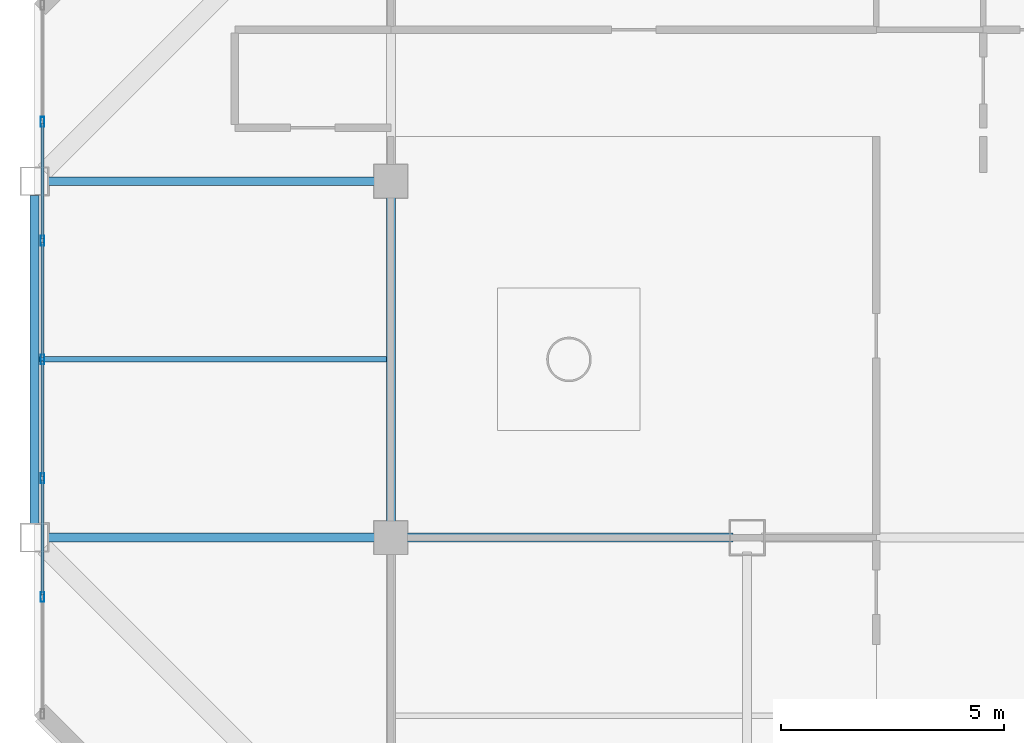
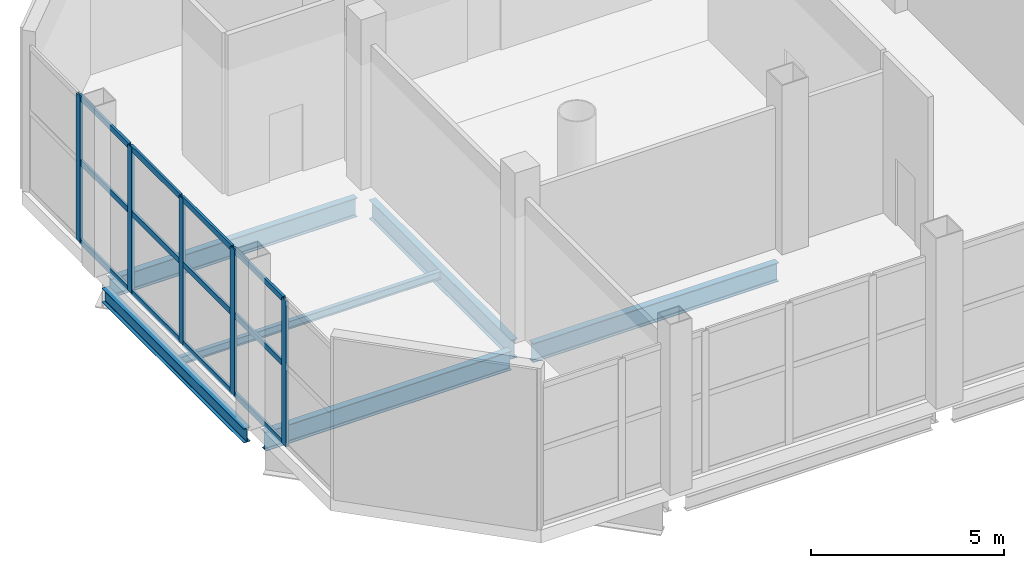
# One storey, part 5 of 17: 17 members, 6 beams, 1 element without a shape of its own.
"""IFC4 building model written with IfcOpenShell, lengths in metres."""

from ifc_helpers import new_model, si_unit, direction, frame, origin, origin_2d, place, context, subcontext, project, spatial, hollow_rectangle, i_section, extrude, material, layer, layer_set, material_profile, profile_set, type_object, element, aggregate, save


model = new_model("IFC4")

# Units and contexts
model_context = context("Model", 3, precision=1e-05, world=origin(), true_north=direction((0.0, 1.0)))
body_context = subcontext(model_context, "Body", "Model", "MODEL_VIEW")
ifc_project = project(units=[si_unit("LENGTHUNIT", "METRE"), si_unit("AREAUNIT", "SQUARE_METRE"), si_unit("VOLUMEUNIT", "CUBIC_METRE"), si_unit("PLANEANGLEUNIT", "RADIAN"), si_unit("MASSUNIT", "GRAM", prefix="KILO")], contexts=[model_context])

# Site, building, storey
site_placement = place(None, origin())
site = spatial("IfcSite", under=ifc_project, at=site_placement, CompositionType="ELEMENT")
building_placement = place(site_placement, origin())
building = spatial("IfcBuilding", under=site, at=building_placement, Name="Qianrong Seaharbour Tower", CompositionType="ELEMENT")
storey_placement = place(building_placement, frame((0.0, 0.0, 373.0)))
storey = spatial("IfcBuildingStorey", under=building, at=storey_placement, Name="L90", CompositionType="ELEMENT", Elevation=373.0)

# Beams
ifc_material_1 = material(Name="Structural steel SN490B", Category="steel")
ifc_material_profile_1 = material_profile(ifc_material_1, i_section(OverallWidth=0.199951171875, OverallDepth=0.60009765625, WebThickness=0.010986328125, FlangeThickness=0.01708984375, FilletRadius=0.02197265625, at=origin_2d()), Name="H600x200x11x17")
ifc_profile_set_1 = profile_set([ifc_material_profile_1], Name="Structural steel SN490B")
beam_type_1 = type_object("IfcBeamType", Name="BM-G-600", PredefinedType="BEAM", material=ifc_profile_set_1)
for number, where, z_axis, x_axis, name in (
    (1, (16.820068359375, 36.0, -0.7099609375), (1.0, 0.0, 0.0), (0.0, 1.0, 0.0), "L90 Primary Girder GF G3-G4"),
    (2, (24.820068359375, 36.0, -0.7099609375), (1.0, 0.0, 0.0), (0.0, 1.0, 0.0), "L90 Primary Girder GF G4-G5"),
    (3, (16.820068359375, 44.0, -0.7099609375), (1.0, 0.0, 0.0), (0.0, 1.0, 0.0), "L90 Primary Girder GG G3-G4"),
    (4, (24.5, 36.320068359375, -0.7099609375), (0.0, 1.0, 0.0), (-1.0, 0.0, 0.0), "L90 Primary Girder G4 GF-GG"),
):
    element("IfcBeam", number, at=place(storey_placement, frame(where, z_axis=z_axis, x_axis=x_axis)), inside=storey, type_object=beam_type_1, Name=name, PredefinedType="BEAM", context=body_context, shape_type="SweptSolid", body=[
        extrude(i_section(OverallWidth=0.199951171875, OverallDepth=0.60009765625, WebThickness=0.010986328125, FlangeThickness=0.01708984375, FilletRadius=0.02197265625, at=origin_2d()), origin(), (0.0, 0.0, 1.0), 7.35986328125),
    ])
ifc_material_2 = material(Name="Structural steel SN400B", Category="steel")
ifc_material_profile_2 = material_profile(ifc_material_2, i_section(OverallWidth=0.125, OverallDepth=0.25, WebThickness=0.006103515625, FlangeThickness=0.009033203125, FilletRadius=0.011962890625, at=origin_2d()), Name="H250x125x6x9")
ifc_profile_set_2 = profile_set([ifc_material_profile_2], Name="Structural steel SN400B")
beam_type_2 = type_object("IfcBeamType", Name="BM-J-250", PredefinedType="JOIST", material=ifc_profile_set_2)
beam_1_placement = place(storey_placement, frame((16.60009765625, 40.0, -0.534912109375), z_axis=(1.0, 0.0, 0.0), x_axis=(0.0, 1.0, 0.0)))
element("IfcBeam", 5, at=beam_1_placement, inside=storey, type_object=beam_type_2, Name="L90 Composite Floor Joist G3-G4/GF-GG", PredefinedType="JOIST", context=body_context, shape_type="SweptSolid", body=[
    extrude(i_section(OverallWidth=0.125, OverallDepth=0.25, WebThickness=0.006103515625, FlangeThickness=0.009033203125, FilletRadius=0.011962890625, at=origin_2d()), origin(), (0.0, 0.0, 1.0), 7.7998046875),
])
ifc_material_profile_3 = material_profile(ifc_material_2, i_section(OverallWidth=0.199951171875, OverallDepth=0.449951171875, WebThickness=0.009033203125, FlangeThickness=0.013916015625, FilletRadius=0.01806640625, at=origin_2d()), Name="H450x200x9x14")
ifc_profile_set_3 = profile_set([ifc_material_profile_3], Name="Structural steel SN400B")
beam_type_3 = type_object("IfcBeamType", Name="BM-SP-450", PredefinedType="SPANDREL", material=ifc_profile_set_3)
beam_2_placement = place(storey_placement, frame((16.5, 36.320068359375, -0.635009765625), z_axis=(0.0, 1.0, 0.0), x_axis=(-1.0, 0.0, 0.0)))
element("IfcBeam", 6, at=beam_2_placement, inside=storey, type_object=beam_type_3, Name="L90 Spandrel Girder G3 GF-GG", PredefinedType="SPANDREL", context=body_context, shape_type="SweptSolid", body=[
    extrude(i_section(OverallWidth=0.199951171875, OverallDepth=0.449951171875, WebThickness=0.009033203125, FlangeThickness=0.013916015625, FilletRadius=0.01806640625, at=origin_2d()), origin(), (0.0, 0.0, 1.0), 7.35986328125),
])

# Curtain wall, members
ifc_material_3 = material(Name="Anodised aluminium 6063-T6 and laminated low-e glass", Category="aluminium")
ifc_layer = layer(ifc_material_3, 0.239990234375)
ifc_layer_set = layer_set([ifc_layer], Name="Anodised aluminium 6063-T6 and laminated low-e glass")
curtain_wall_type = type_object("IfcCurtainWallType", Name="CW-SYS-6", PredefinedType="NOTDEFINED", material=ifc_layer_set)
curtain_wall_placement = place(storey_placement, origin())
curtain_wall = element("IfcCurtainWall", 7, at=curtain_wall_placement, inside=storey, type_object=curtain_wall_type, Name="L90 TMD Exhibition Lantern Translucent Curtain Wall WEST_TIP", PredefinedType="NOTDEFINED")
ifc_material_4 = material(Name="Extruded aluminium 6063-T6", Category="aluminium")
ifc_material_profile_4 = material_profile(ifc_material_4, hollow_rectangle(XDim=0.080078125, YDim=0.219970703125, WallThickness=0.0048828125, at=origin_2d()), Name="ALU-MUL-220x80x5")
ifc_profile_set_4 = profile_set([ifc_material_profile_4], Name="Extruded aluminium 6063-T6")
member_type_1 = type_object("IfcMemberType", Name="CW-MUL-220", PredefinedType="MULLION", material=ifc_profile_set_4)
member_1_placement = place(storey_placement, frame((16.679931640625, 34.666748046875, 0.0), z_axis=(0.0, 0.0, 1.0), x_axis=(-1.0, 0.0, 0.0)))
member_1 = element("IfcMember", 8, at=member_1_placement, type_object=member_type_1, Name="CW-6 mullion 2", PredefinedType="MULLION", context=body_context, shape_type="SweptSolid", body=[
    extrude(hollow_rectangle(XDim=0.080078125, YDim=0.219970703125, WallThickness=0.0048828125, at=origin_2d()), origin(), (0.0, 0.0, 1.0), 4.6201171875),
])
member_2_placement = place(storey_placement, frame((16.679931640625, 37.333251953125, 0.0), z_axis=(0.0, 0.0, 1.0), x_axis=(-1.0, 0.0, 0.0)))
member_2 = element("IfcMember", 9, at=member_2_placement, type_object=member_type_1, Name="CW-6 mullion 3", PredefinedType="MULLION", context=body_context, shape_type="SweptSolid", body=[
    extrude(hollow_rectangle(XDim=0.080078125, YDim=0.219970703125, WallThickness=0.0048828125, at=origin_2d()), origin(), (0.0, 0.0, 1.0), 4.6201171875),
])
member_3_placement = place(storey_placement, frame((16.679931640625, 40.0, 0.0), z_axis=(0.0, 0.0, 1.0), x_axis=(-1.0, 0.0, 0.0)))
member_3 = element("IfcMember", 10, at=member_3_placement, type_object=member_type_1, Name="CW-6 mullion 4", PredefinedType="MULLION", context=body_context, shape_type="SweptSolid", body=[
    extrude(hollow_rectangle(XDim=0.080078125, YDim=0.219970703125, WallThickness=0.0048828125, at=origin_2d()), origin(), (0.0, 0.0, 1.0), 4.6201171875),
])
member_4_placement = place(storey_placement, frame((16.679931640625, 42.666748046875, 0.0), z_axis=(0.0, 0.0, 1.0), x_axis=(-1.0, 0.0, 0.0)))
member_4 = element("IfcMember", 11, at=member_4_placement, type_object=member_type_1, Name="CW-6 mullion 5", PredefinedType="MULLION", context=body_context, shape_type="SweptSolid", body=[
    extrude(hollow_rectangle(XDim=0.080078125, YDim=0.219970703125, WallThickness=0.0048828125, at=origin_2d()), origin(), (0.0, 0.0, 1.0), 4.6201171875),
])
member_5_placement = place(storey_placement, frame((16.679931640625, 45.333251953125, 0.0), z_axis=(0.0, 0.0, 1.0), x_axis=(-1.0, 0.0, 0.0)))
member_5 = element("IfcMember", 12, at=member_5_placement, type_object=member_type_1, Name="CW-6 mullion 6", PredefinedType="MULLION", context=body_context, shape_type="SweptSolid", body=[
    extrude(hollow_rectangle(XDim=0.080078125, YDim=0.219970703125, WallThickness=0.0048828125, at=origin_2d()), origin(), (0.0, 0.0, 1.0), 4.6201171875),
])
ifc_material_profile_5 = material_profile(ifc_material_4, hollow_rectangle(XDim=0.070068359375, YDim=0.179931640625, WallThickness=0.00390625, at=origin_2d()), Name="ALU-TRN-180x70x4")
ifc_profile_set_5 = profile_set([ifc_material_profile_5], Name="Extruded aluminium 6063-T6")
member_type_2 = type_object("IfcMemberType", Name="CW-TRN-180", PredefinedType="USERDEFINED", material=ifc_profile_set_5)
member_6_placement = place(storey_placement, frame((16.679931640625, 34.706787109375, 0.034912109375), z_axis=(0.0, 1.0, 0.0), x_axis=(-1.0, 0.0, 0.0)))
member_6 = element("IfcMember", 13, at=member_6_placement, type_object=member_type_2, Name="CW-6 transom 2.1", ObjectType="TRANSOM", PredefinedType="USERDEFINED", context=body_context, shape_type="SweptSolid", body=[
    extrude(hollow_rectangle(XDim=0.070068359375, YDim=0.179931640625, WallThickness=0.00390625, at=origin_2d()), origin(), (0.0, 0.0, 1.0), 2.58642578125),
])
member_7_placement = place(storey_placement, frame((16.679931640625, 34.706787109375, 2.541015625), z_axis=(0.0, 1.0, 0.0), x_axis=(-1.0, 0.0, 0.0)))
member_7 = element("IfcMember", 14, at=member_7_placement, type_object=member_type_2, Name="CW-6 transom 2.2", ObjectType="TRANSOM", PredefinedType="USERDEFINED", context=body_context, shape_type="SweptSolid", body=[
    extrude(hollow_rectangle(XDim=0.070068359375, YDim=0.179931640625, WallThickness=0.00390625, at=origin_2d()), origin(), (0.0, 0.0, 1.0), 2.58642578125),
])
member_8_placement = place(storey_placement, frame((16.679931640625, 34.706787109375, 4.5849609375), z_axis=(0.0, 1.0, 0.0), x_axis=(-1.0, 0.0, 0.0)))
member_8 = element("IfcMember", 15, at=member_8_placement, type_object=member_type_2, Name="CW-6 transom 2.3", ObjectType="TRANSOM", PredefinedType="USERDEFINED", context=body_context, shape_type="SweptSolid", body=[
    extrude(hollow_rectangle(XDim=0.070068359375, YDim=0.179931640625, WallThickness=0.00390625, at=origin_2d()), origin(), (0.0, 0.0, 1.0), 2.58642578125),
])
member_9_placement = place(storey_placement, frame((16.679931640625, 37.373291015625, 0.034912109375), z_axis=(0.0, 1.0, 0.0), x_axis=(-1.0, 0.0, 0.0)))
member_9 = element("IfcMember", 16, at=member_9_placement, type_object=member_type_2, Name="CW-6 transom 3.1", ObjectType="TRANSOM", PredefinedType="USERDEFINED", context=body_context, shape_type="SweptSolid", body=[
    extrude(hollow_rectangle(XDim=0.070068359375, YDim=0.179931640625, WallThickness=0.00390625, at=origin_2d()), origin(), (0.0, 0.0, 1.0), 2.586669921875),
])
member_10_placement = place(storey_placement, frame((16.679931640625, 37.373291015625, 2.541015625), z_axis=(0.0, 1.0, 0.0), x_axis=(-1.0, 0.0, 0.0)))
member_10 = element("IfcMember", 17, at=member_10_placement, type_object=member_type_2, Name="CW-6 transom 3.2", ObjectType="TRANSOM", PredefinedType="USERDEFINED", context=body_context, shape_type="SweptSolid", body=[
    extrude(hollow_rectangle(XDim=0.070068359375, YDim=0.179931640625, WallThickness=0.00390625, at=origin_2d()), origin(), (0.0, 0.0, 1.0), 2.586669921875),
])
member_11_placement = place(storey_placement, frame((16.679931640625, 37.373291015625, 4.5849609375), z_axis=(0.0, 1.0, 0.0), x_axis=(-1.0, 0.0, 0.0)))
member_11 = element("IfcMember", 18, at=member_11_placement, type_object=member_type_2, Name="CW-6 transom 3.3", ObjectType="TRANSOM", PredefinedType="USERDEFINED", context=body_context, shape_type="SweptSolid", body=[
    extrude(hollow_rectangle(XDim=0.070068359375, YDim=0.179931640625, WallThickness=0.00390625, at=origin_2d()), origin(), (0.0, 0.0, 1.0), 2.586669921875),
])
member_12_placement = place(storey_placement, frame((16.679931640625, 40.0400390625, 0.034912109375), z_axis=(0.0, 1.0, 0.0), x_axis=(-1.0, 0.0, 0.0)))
member_12 = element("IfcMember", 19, at=member_12_placement, type_object=member_type_2, Name="CW-6 transom 4.1", ObjectType="TRANSOM", PredefinedType="USERDEFINED", context=body_context, shape_type="SweptSolid", body=[
    extrude(hollow_rectangle(XDim=0.070068359375, YDim=0.179931640625, WallThickness=0.00390625, at=origin_2d()), origin(), (0.0, 0.0, 1.0), 2.586669921875),
])
member_13_placement = place(storey_placement, frame((16.679931640625, 40.0400390625, 2.541015625), z_axis=(0.0, 1.0, 0.0), x_axis=(-1.0, 0.0, 0.0)))
member_13 = element("IfcMember", 20, at=member_13_placement, type_object=member_type_2, Name="CW-6 transom 4.2", ObjectType="TRANSOM", PredefinedType="USERDEFINED", context=body_context, shape_type="SweptSolid", body=[
    extrude(hollow_rectangle(XDim=0.070068359375, YDim=0.179931640625, WallThickness=0.00390625, at=origin_2d()), origin(), (0.0, 0.0, 1.0), 2.586669921875),
])
member_14_placement = place(storey_placement, frame((16.679931640625, 40.0400390625, 4.5849609375), z_axis=(0.0, 1.0, 0.0), x_axis=(-1.0, 0.0, 0.0)))
member_14 = element("IfcMember", 21, at=member_14_placement, type_object=member_type_2, Name="CW-6 transom 4.3", ObjectType="TRANSOM", PredefinedType="USERDEFINED", context=body_context, shape_type="SweptSolid", body=[
    extrude(hollow_rectangle(XDim=0.070068359375, YDim=0.179931640625, WallThickness=0.00390625, at=origin_2d()), origin(), (0.0, 0.0, 1.0), 2.586669921875),
])
member_15_placement = place(storey_placement, frame((16.679931640625, 42.706787109375, 0.034912109375), z_axis=(0.0, 1.0, 0.0), x_axis=(-1.0, 0.0, 0.0)))
member_15 = element("IfcMember", 22, at=member_15_placement, type_object=member_type_2, Name="CW-6 transom 5.1", ObjectType="TRANSOM", PredefinedType="USERDEFINED", context=body_context, shape_type="SweptSolid", body=[
    extrude(hollow_rectangle(XDim=0.070068359375, YDim=0.179931640625, WallThickness=0.00390625, at=origin_2d()), origin(), (0.0, 0.0, 1.0), 2.58642578125),
])
member_16_placement = place(storey_placement, frame((16.679931640625, 42.706787109375, 2.541015625), z_axis=(0.0, 1.0, 0.0), x_axis=(-1.0, 0.0, 0.0)))
member_16 = element("IfcMember", 23, at=member_16_placement, type_object=member_type_2, Name="CW-6 transom 5.2", ObjectType="TRANSOM", PredefinedType="USERDEFINED", context=body_context, shape_type="SweptSolid", body=[
    extrude(hollow_rectangle(XDim=0.070068359375, YDim=0.179931640625, WallThickness=0.00390625, at=origin_2d()), origin(), (0.0, 0.0, 1.0), 2.58642578125),
])
member_17_placement = place(storey_placement, frame((16.679931640625, 42.706787109375, 4.5849609375), z_axis=(0.0, 1.0, 0.0), x_axis=(-1.0, 0.0, 0.0)))
member_17 = element("IfcMember", 24, at=member_17_placement, type_object=member_type_2, Name="CW-6 transom 5.3", ObjectType="TRANSOM", PredefinedType="USERDEFINED", context=body_context, shape_type="SweptSolid", body=[
    extrude(hollow_rectangle(XDim=0.070068359375, YDim=0.179931640625, WallThickness=0.00390625, at=origin_2d()), origin(), (0.0, 0.0, 1.0), 2.58642578125),
])
aggregate(curtain_wall, [member_1, member_2, member_3, member_4, member_5, member_6, member_7, member_8, member_9, member_10, member_11, member_12, member_13, member_14, member_15, member_16, member_17])

save(model, "model.ifc")
